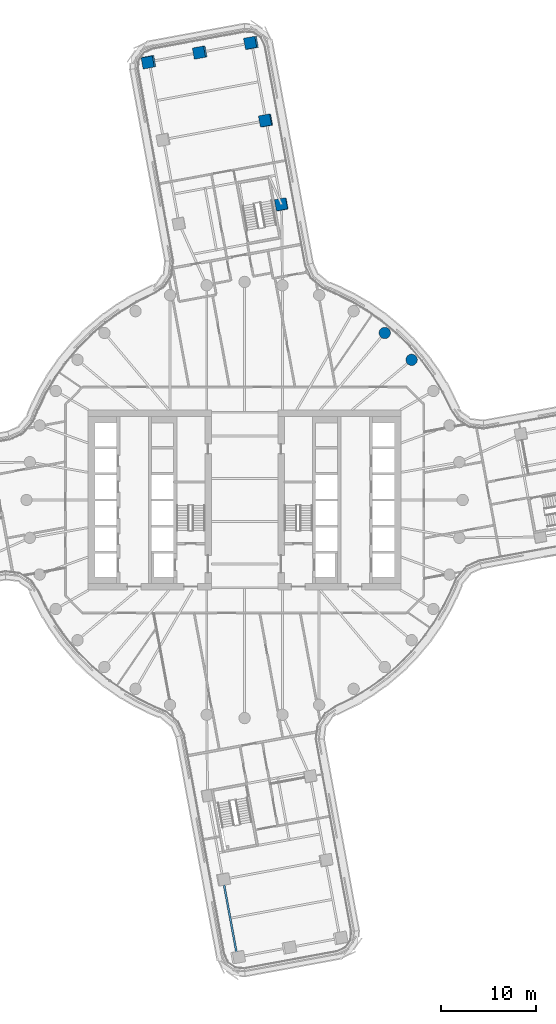
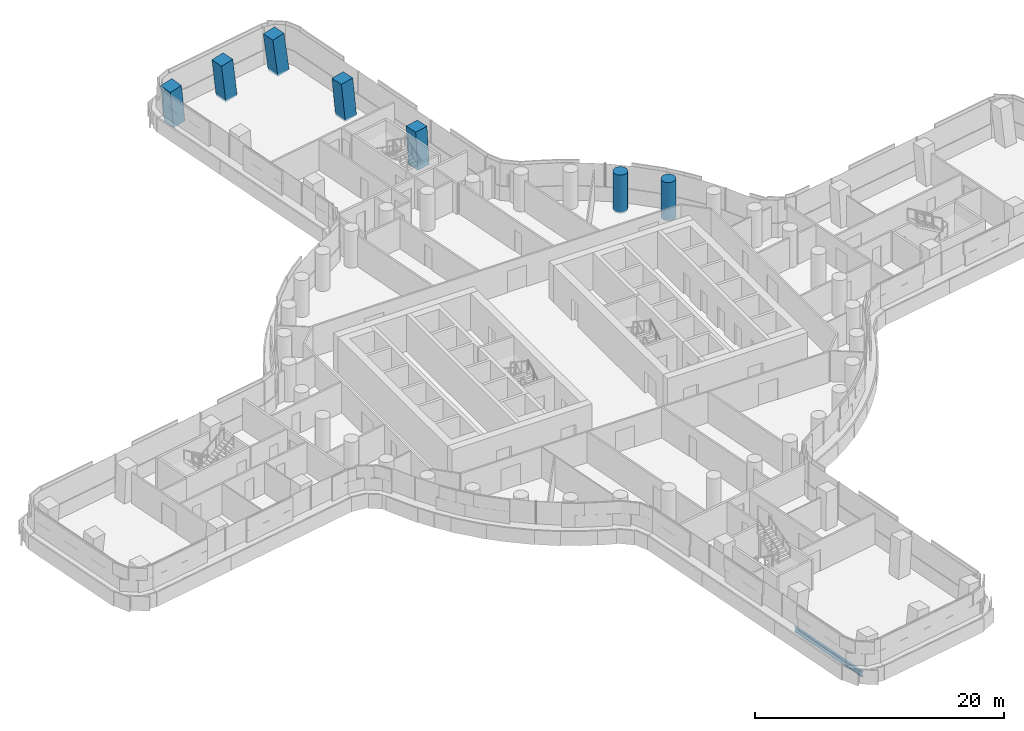
# One storey, part 3 of 33: 7 columns, 1 beam.
"""IFC4 building model written with IfcOpenShell, lengths in metres."""

from ifc_helpers import new_model, si_unit, direction, frame, origin, origin_2d, place, context, subcontext, project, spatial, rectangle, circle, i_section, extrude, material, material_profile, profile_set, type_object, element, save


model = new_model("IFC4")

# Units and contexts
model_context = context("Model", 3, precision=1e-05, world=origin(), true_north=direction((0.0, 1.0)))
body_context = subcontext(model_context, "Body", "Model", "MODEL_VIEW")
ifc_project = project(units=[si_unit("LENGTHUNIT", "METRE"), si_unit("AREAUNIT", "SQUARE_METRE"), si_unit("VOLUMEUNIT", "CUBIC_METRE"), si_unit("PLANEANGLEUNIT", "RADIAN"), si_unit("MASSUNIT", "GRAM", prefix="KILO")], contexts=[model_context])

# Site, building, storey
site_placement = place(None, origin())
site = spatial("IfcSite", under=ifc_project, at=site_placement, CompositionType="ELEMENT")
building_placement = place(site_placement, origin())
building = spatial("IfcBuilding", under=site, at=building_placement, Name="Tamarind Cross Interchange Tower", CompositionType="ELEMENT")
storey_placement = place(building_placement, frame((0.0, 0.0, 71.5)))
storey = spatial("IfcBuildingStorey", under=building, at=storey_placement, Name="L16", CompositionType="ELEMENT", Elevation=71.5)

# Columns
ifc_material_1 = material(Name="Concrete C70", Category="concrete")
ifc_material_profile_1 = material_profile(ifc_material_1, rectangle(XDim=1.199951171875, YDim=1.199951171875, at=origin_2d()), Name="RC 1200x1200")
ifc_profile_set_1 = profile_set([ifc_material_profile_1], Name="Concrete C70")
column_type_1 = type_object("IfcColumnType", Name="Column RC 1200x1200 Concrete C70", PredefinedType="COLUMN", material=ifc_profile_set_1)
column_1_placement = place(storey_placement, frame((2.271484375, 40.010498046875, -0.138427734375), z_axis=(-0.087370111162, 0.010255926868, 0.996123124739), x_axis=(0.179712819987, -0.98337843556, 0.025887348398)))
element("IfcColumn", 1, at=column_1_placement, inside=storey, type_object=column_type_1, Name="Column L16-044", PredefinedType="COLUMN", context=body_context, shape_type="SweptSolid", body=[
    extrude(rectangle(XDim=1.199951171875, YDim=1.199951171875, at=origin_2d()), origin(), (0.0, 0.0, 1.0), 3.76123046875),
])
column_2_placement = place(storey_placement, frame((3.903564453125, 31.159912109375, -0.138671875), z_axis=(-0.04464121493, 0.01854627734, 0.998830915384), x_axis=(0.180746979451, -0.983177023268, 0.026333824975)))
element("IfcColumn", 2, at=column_2_placement, inside=storey, type_object=column_type_1, Name="Column L16-046", PredefinedType="COLUMN", context=body_context, shape_type="SweptSolid", body=[
    extrude(rectangle(XDim=1.199951171875, YDim=1.199951171875, at=origin_2d()), origin(), (0.0, 0.0, 1.0), 3.751708984375),
])
column_3_placement = place(storey_placement, frame((0.758544921875, 48.21435546875, -0.138671875), z_axis=(-0.125729090029, -0.001163559702, 0.992063930424), x_axis=(0.18017355573, -0.983395866032, 0.021680878368)))
element("IfcColumn", 3, at=column_3_placement, inside=storey, type_object=column_type_1, Name="Column L16-047", PredefinedType="COLUMN", context=body_context, shape_type="SweptSolid", body=[
    extrude(rectangle(XDim=1.199951171875, YDim=1.199951171875, at=origin_2d()), origin(), (0.0, 0.0, 1.0), 3.77685546875),
])
column_4_placement = place(storey_placement, frame((-4.650146484375, 47.217041015625, -0.138671875), z_axis=(-0.120709628458, -0.027219471655, 0.992314610373), x_axis=(0.975884236543, 0.179893711362, 0.123645499225)))
element("IfcColumn", 4, at=column_4_placement, inside=storey, type_object=column_type_1, Name="Column L16-048", PredefinedType="COLUMN", context=body_context, shape_type="SweptSolid", body=[
    extrude(rectangle(XDim=1.199951171875, YDim=1.199951171875, at=origin_2d()), origin(), (0.0, 0.0, 1.0), 3.776123046875),
])
column_5_placement = place(storey_placement, frame((-10.05908203125, 46.219482421875, -0.138427734375), z_axis=(-0.115622079585, -0.053190034376, 0.99186811369), x_axis=(0.976300483641, 0.177830515493, 0.123343720563)))
element("IfcColumn", 5, at=column_5_placement, inside=storey, type_object=column_type_1, Name="Column L16-049", PredefinedType="COLUMN", context=body_context, shape_type="SweptSolid", body=[
    extrude(rectangle(XDim=1.199951171875, YDim=1.199951171875, at=origin_2d()), origin(), (0.0, 0.0, 1.0), 3.777587890625),
])
ifc_material_profile_2 = material_profile(ifc_material_1, circle(Radius=0.60009765625, at=origin_2d()), Name="RC D1200")
ifc_profile_set_2 = profile_set([ifc_material_profile_2], Name="Concrete C70")
column_type_2 = type_object("IfcColumnType", Name="Column RC D1200 Concrete C70", PredefinedType="COLUMN", material=ifc_profile_set_2)
for number, where, z_axis, x_axis, name in (
    (6, (17.619140625, 14.7841796875, -0.139892578125), (0.0, 0.0, 1.0), (1.0, 0.0, 0.0), "Column L16-004"),
    (7, (14.7841796875, 17.619140625, -0.139892578125), (0.0, 0.0, 1.0), (1.0, 0.0, 0.0), "Column L16-005"),
):
    element("IfcColumn", number, at=place(storey_placement, frame(where, z_axis=z_axis, x_axis=x_axis)), inside=storey, type_object=column_type_2, Name=name, PredefinedType="COLUMN", context=body_context, shape_type="SweptSolid", body=[
        extrude(circle(Radius=0.60009765625, at=origin_2d()), origin(), (0.0, 0.0, 1.0), 3.75),
    ])

# Beam
ifc_material_2 = material(Name="Steel Q355B", Category="steel")
ifc_material_profile_3 = material_profile(ifc_material_2, i_section(OverallWidth=0.198974609375, OverallDepth=0.49609375, WebThickness=0.009033203125, FlangeThickness=0.013916015625, FilletRadius=0.012939453125, at=origin_2d()), Name="HN 496x199x9x14")
ifc_profile_set_3 = profile_set([ifc_material_profile_3], Name="Steel Q355B")
beam_type = type_object("IfcBeamType", Name="Composite beam HN 496x199x9x14 Q355B", PredefinedType="BEAM", material=ifc_profile_set_3)
beam_placement = place(storey_placement, frame((-0.7587890625, -48.21435546875, -0.387939453125), z_axis=(-0.181331514308, 0.983422026354, 0.0), x_axis=(-0.983422026354, -0.181331514308, 0.0)))
element("IfcBeam", 8, at=beam_placement, inside=storey, type_object=beam_type, Name="Beam S-edgeem5", PredefinedType="BEAM", context=body_context, shape_type="SweptSolid", body=[
    extrude(i_section(OverallWidth=0.198974609375, OverallDepth=0.49609375, WebThickness=0.009033203125, FlangeThickness=0.013916015625, FilletRadius=0.012939453125, at=origin_2d()), origin(), (0.0, 0.0, 1.0), 8.342041015625),
])

save(model, "model.ifc")
